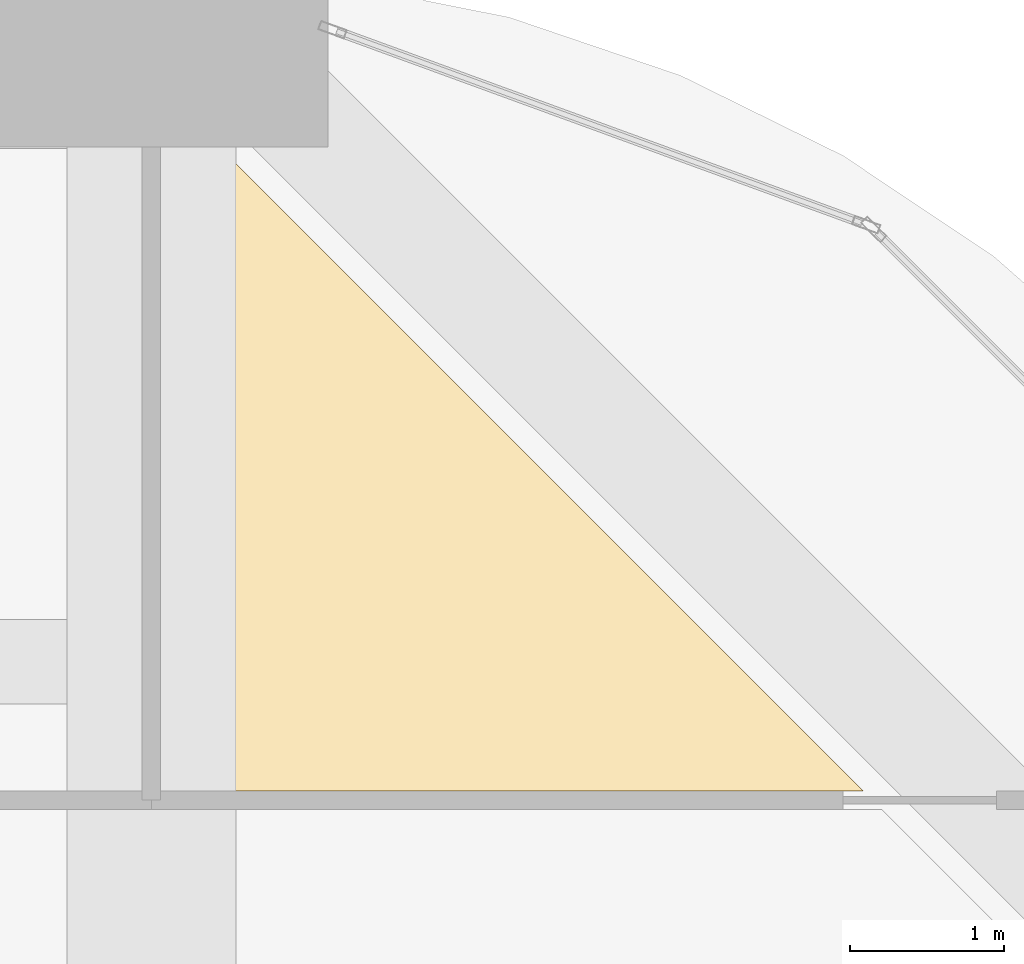
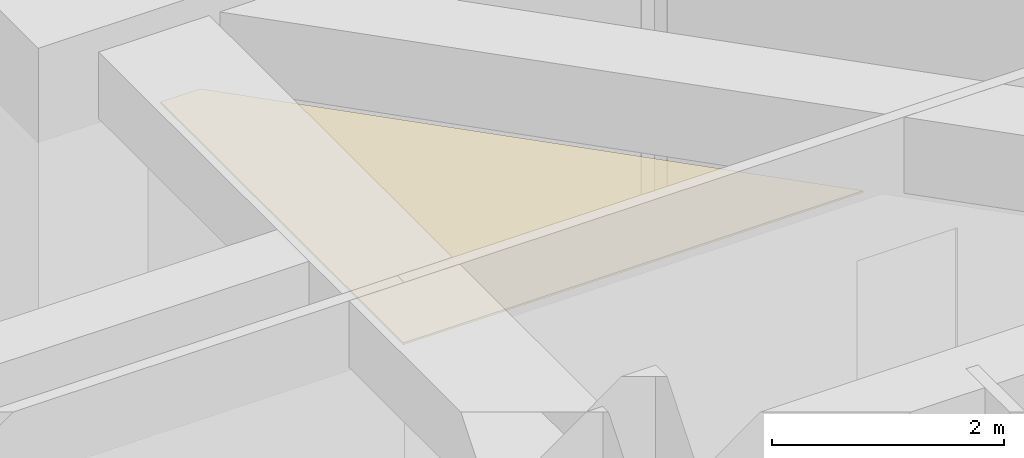
# One storey, part 44 of 44: 1 covering.
"""IFC4 building model written with IfcOpenShell, lengths in metres."""

from ifc_helpers import new_model, si_unit, direction, frame, origin, place, context, subcontext, project, spatial, polyline, outline, extrude, material, layer, layer_set, type_object, element, save


model = new_model("IFC4")

# Units and contexts
model_context = context("Model", 3, precision=1e-05, world=origin(), true_north=direction((0.0, 1.0)))
body_context = subcontext(model_context, "Body", "Model", "MODEL_VIEW")
ifc_project = project(units=[si_unit("LENGTHUNIT", "METRE"), si_unit("AREAUNIT", "SQUARE_METRE"), si_unit("VOLUMEUNIT", "CUBIC_METRE"), si_unit("PLANEANGLEUNIT", "RADIAN"), si_unit("MASSUNIT", "GRAM", prefix="KILO")], contexts=[model_context])

# Site, building, storey
site_placement = place(None, origin())
site = spatial("IfcSite", under=ifc_project, at=site_placement, CompositionType="ELEMENT")
building_placement = place(site_placement, origin())
building = spatial("IfcBuilding", under=site, at=building_placement, Name="Zorevar Civic Tower", CompositionType="ELEMENT")
storey_placement = place(building_placement, frame((0.0, 0.0, 51.800048828125)))
storey = spatial("IfcBuildingStorey", under=building, at=storey_placement, Name="L12", CompositionType="ELEMENT", Elevation=51.800048828125)

# Covering
ifc_material = material(Name="Mineral fibre tiles on a concealed grid")
ifc_layer = layer(ifc_material, 0.02001953125)
ifc_layer_set = layer_set([ifc_layer], Name="Suspended ceiling SC1")
covering_type = type_object("IfcCoveringType", Name="Suspended ceiling SC1", PredefinedType="CEILING", material=ifc_layer_set)
covering_placement = place(storey_placement, frame((0.0, 0.0, 3.0)))
element("IfcCovering", 1, at=covering_placement, inside=storey, type_object=covering_type, Name="Ceiling L12-37", PredefinedType="CEILING", context=body_context, shape_type="SweptSolid", body=[
    extrude(outline(polyline([(54.06005859375, 48.659912109375), (54.06005859375, 52.840087890625), (54.452880859375, 52.840087890625), (58.6328125, 48.659912109375), (54.06005859375, 48.659912109375)])), origin(), (0.0, 0.0, 1.0), 0.02001953125),
])

save(model, "model.ifc")
